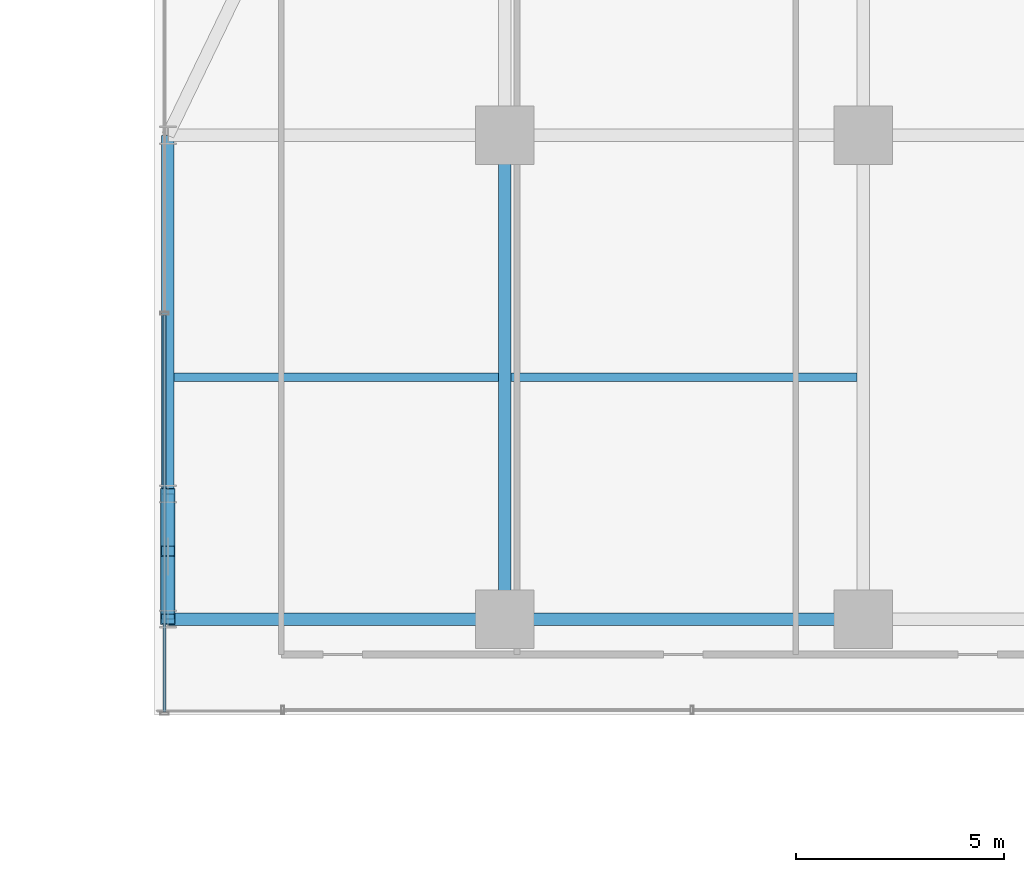
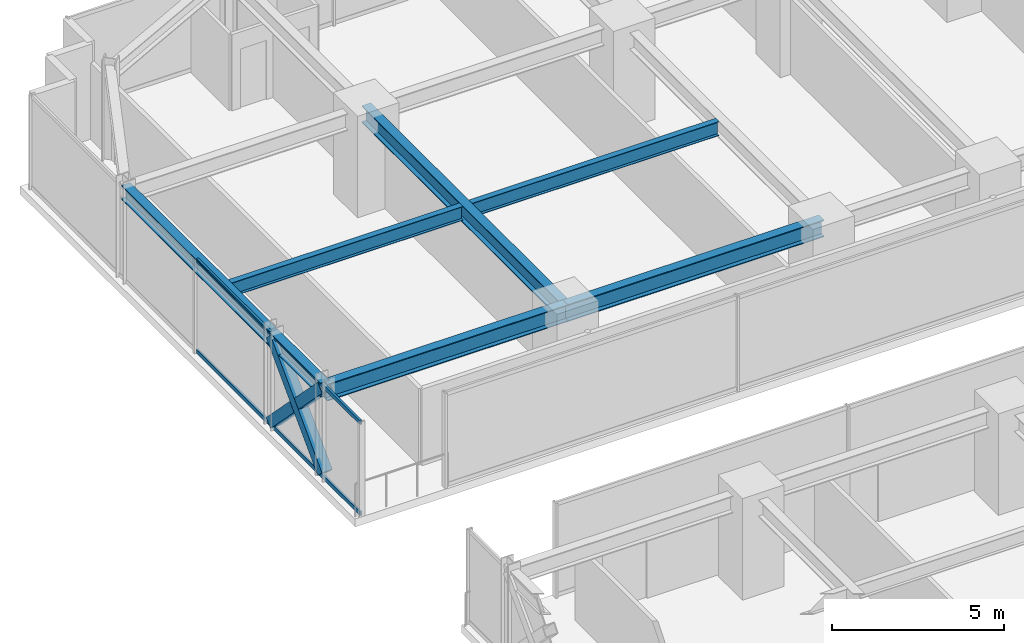
# One storey, part 20 of 37: 7 beams, 5 members, 1 element without a shape of its own.
"""IFC4 building model written with IfcOpenShell, lengths in metres."""

from ifc_helpers import new_model, si_unit, direction, frame, origin, origin_2d, place, context, subcontext, project, spatial, hollow_rectangle, i_section, extrude, source, transform, mapped, material, material_profile, profile_set, type_object, element, aggregate, save


model = new_model("IFC4")

# Units and contexts
model_context = context("Model", 3, precision=1e-05, world=origin(), true_north=direction((0.0, 1.0)))
body_context = subcontext(model_context, "Body", "Model", "MODEL_VIEW")
ifc_project = project(units=[si_unit("LENGTHUNIT", "METRE"), si_unit("AREAUNIT", "SQUARE_METRE"), si_unit("VOLUMEUNIT", "CUBIC_METRE"), si_unit("PLANEANGLEUNIT", "RADIAN"), si_unit("MASSUNIT", "GRAM", prefix="KILO")], contexts=[model_context])

# Site, building, storey
site_placement = place(None, origin())
site = spatial("IfcSite", under=ifc_project, at=site_placement, CompositionType="ELEMENT")
building_placement = place(site_placement, origin())
building = spatial("IfcBuilding", under=site, at=building_placement, Name="Nahalor Promenade Grand Hotel", CompositionType="ELEMENT")
storey_placement = place(building_placement, frame((0.0, 0.0, 65.25)))
storey = spatial("IfcBuildingStorey", under=building, at=storey_placement, Name="L15", CompositionType="ELEMENT", Elevation=65.25)

# Beams
ifc_material_1 = material(Name="Steel S355JR", Category="steel")
ifc_material_profile_1 = material_profile(ifc_material_1, i_section(OverallWidth=0.3, OverallDepth=0.6, WebThickness=0.0155, FlangeThickness=0.03, at=origin_2d()), Name="HEB 600")
ifc_profile_set_1 = profile_set([ifc_material_profile_1], Name="Steel S355JR")
beam_type_1 = type_object("IfcBeamType", Name="Beam-Girder-HEB600", PredefinedType="BEAM", material=ifc_profile_set_1)
shared_shape_1 = source(origin(), body_context, "Body", "SweptSolid", [
    extrude(i_section(OverallWidth=0.3, OverallDepth=0.6, WebThickness=0.0155, FlangeThickness=0.03, at=origin_2d()), origin(), (0.0, 0.0, 1.0), 8.60009765625),
])
beam_1_placement = place(storey_placement, frame((-17.0, 5.39990234375, 3.070068359375), z_axis=(1.0, 0.0, 0.0), x_axis=(0.0, 1.0, 0.0)))
element("IfcBeam", 1, at=beam_1_placement, inside=storey, type_object=beam_type_1, Name="BM-L15-GX-2-1", PredefinedType="BEAM", context=body_context, shape_type="MappedRepresentation", body=[
    mapped(shared_shape_1, transform((0.0, 0.0, 0.0), scale=1.0)),
])
shared_shape_2 = source(origin(), body_context, "Body", "SweptSolid", [
    extrude(i_section(OverallWidth=0.3, OverallDepth=0.6, WebThickness=0.0155, FlangeThickness=0.03, at=origin_2d()), origin(), (0.0, 0.0, 1.0), 11.60009765625),
])
beam_2_placement = place(storey_placement, frame((-17.0, 5.39990234375, 3.070068359375), z_axis=(0.0, 1.0, 0.0), x_axis=(-1.0, 0.0, 0.0)))
element("IfcBeam", 2, at=beam_2_placement, inside=storey, type_object=beam_type_1, Name="BM-L15-GY-0-3", PredefinedType="BEAM", context=body_context, shape_type="MappedRepresentation", body=[
    mapped(shared_shape_2, transform((0.0, 0.0, 0.0), scale=1.0)),
])
ifc_material_profile_2 = material_profile(ifc_material_1, i_section(OverallWidth=0.3, OverallDepth=0.5, WebThickness=0.0145, FlangeThickness=0.028, at=origin_2d()), Name="HEB 500")
ifc_profile_set_2 = profile_set([ifc_material_profile_2], Name="Steel S355JR")
beam_type_2 = type_object("IfcBeamType", Name="Beam-Spandrel-HEB500", PredefinedType="SPANDREL", material=ifc_profile_set_2)
shared_shape_3 = source(origin(), body_context, "Body", "SweptSolid", [
    extrude(i_section(OverallWidth=0.3, OverallDepth=0.5, WebThickness=0.0145, FlangeThickness=0.028, at=origin_2d()), origin(), (0.0, 0.0, 1.0), 8.60009765625),
])
beam_3_placement = place(storey_placement, frame((-25.080078125, 8.39990234375, 3.1201171875), z_axis=(0.0, 1.0, 0.0), x_axis=(-1.0, 0.0, 0.0)))
element("IfcBeam", 3, at=beam_3_placement, inside=storey, type_object=beam_type_2, Name="BM-L15-SP-W-4", PredefinedType="SPANDREL", context=body_context, shape_type="MappedRepresentation", body=[
    mapped(shared_shape_3, transform((0.0, 0.0, 0.0), scale=1.0)),
])
shared_shape_4 = source(origin(), body_context, "Body", "SweptSolid", [
    extrude(i_section(OverallWidth=0.3, OverallDepth=0.5, WebThickness=0.0145, FlangeThickness=0.028, at=origin_2d()), origin(), (0.0, 0.0, 1.0), 3.0),
])
beam_4_placement = place(storey_placement, frame((-25.080078125, 5.39990234375, 3.1201171875), z_axis=(0.0, 1.0, 0.0), x_axis=(-1.0, 0.0, 0.0)))
element("IfcBeam", 4, at=beam_4_placement, inside=storey, type_object=beam_type_2, Name="BM-L15-SP-W-3", PredefinedType="SPANDREL", context=body_context, shape_type="MappedRepresentation", body=[
    mapped(shared_shape_4, transform((0.0, 0.0, 0.0), scale=1.0)),
])
ifc_material_profile_3 = material_profile(ifc_material_1, i_section(OverallWidth=0.2, OverallDepth=0.5, WebThickness=0.0102, FlangeThickness=0.016, at=origin_2d()), Name="IPE 500")
ifc_profile_set_3 = profile_set([ifc_material_profile_3], Name="Steel S355JR")
beam_type_3 = type_object("IfcBeamType", Name="Beam-Joist-IPE500", PredefinedType="JOIST", material=ifc_profile_set_3)
shared_shape_5 = source(origin(), body_context, "Body", "SweptSolid", [
    extrude(i_section(OverallWidth=0.2, OverallDepth=0.5, WebThickness=0.0102, FlangeThickness=0.016, at=origin_2d()), origin(), (0.0, 0.0, 1.0), 8.300048828125),
])
beam_5_placement = place(storey_placement, frame((-16.85009765625, 11.199951171875, 3.1201171875), z_axis=(1.0, 0.0, 0.0), x_axis=(0.0, 1.0, 0.0)))
element("IfcBeam", 5, at=beam_5_placement, inside=storey, type_object=beam_type_3, Name="BM-L15-JSW-1-1", PredefinedType="JOIST", context=body_context, shape_type="MappedRepresentation", body=[
    mapped(shared_shape_5, transform((0.0, 0.0, 0.0), scale=1.0)),
])
shared_shape_6 = source(origin(), body_context, "Body", "SweptSolid", [
    extrude(i_section(OverallWidth=0.3, OverallDepth=0.6, WebThickness=0.0155, FlangeThickness=0.03, at=origin_2d()), origin(), (0.0, 0.0, 1.0), 8.080078125),
])
beam_6_placement = place(storey_placement, frame((-25.080078125, 5.39990234375, 3.070068359375), z_axis=(1.0, 0.0, 0.0), x_axis=(0.0, 1.0, 0.0)))
element("IfcBeam", 6, at=beam_6_placement, inside=storey, type_object=beam_type_1, Name="BM-L15-GX-2-0", PredefinedType="BEAM", context=body_context, shape_type="MappedRepresentation", body=[
    mapped(shared_shape_6, transform((0.0, 0.0, 0.0), scale=1.0)),
])
shared_shape_7 = source(origin(), body_context, "Body", "SweptSolid", [
    extrude(i_section(OverallWidth=0.2, OverallDepth=0.5, WebThickness=0.0102, FlangeThickness=0.016, at=origin_2d()), origin(), (0.0, 0.0, 1.0), 7.780029296875),
])
beam_7_placement = place(storey_placement, frame((-24.929931640625, 11.199951171875, 3.1201171875), z_axis=(1.0, 0.0, 0.0), x_axis=(0.0, 1.0, 0.0)))
element("IfcBeam", 7, at=beam_7_placement, inside=storey, type_object=beam_type_3, Name="BM-L15-JSW-1-0", PredefinedType="JOIST", context=body_context, shape_type="MappedRepresentation", body=[
    mapped(shared_shape_7, transform((0.0, 0.0, 0.0), scale=1.0)),
])

# Members
ifc_material_profile_4 = material_profile(ifc_material_1, hollow_rectangle(XDim=0.35, YDim=0.35, WallThickness=0.02, at=origin_2d()), Name="SHS 350x350x20")
ifc_profile_set_4 = profile_set([ifc_material_profile_4], Name="Steel S355JR")
member_type_1 = type_object("IfcMemberType", Name="Mem-VoidBrace-SHS350", PredefinedType="BRACE", material=ifc_profile_set_4)
shared_shape_8 = source(origin(), body_context, "Body", "SweptSolid", [
    extrude(hollow_rectangle(XDim=0.35, YDim=0.35, WallThickness=0.02, at=origin_2d()), origin(), (0.0, 0.0, 1.0), 4.29248046875),
])
member_1_placement = place(storey_placement, frame((-25.080078125, 5.39990234375, 0.14990234375), z_axis=(0.0, 0.698897904453, 0.715221447631), x_axis=(-1.0, 0.0, 0.0)))
element("IfcMember", 8, at=member_1_placement, inside=storey, type_object=member_type_1, Name="EXO-L15-VX1-W1", PredefinedType="BRACE", context=body_context, shape_type="MappedRepresentation", body=[
    mapped(shared_shape_8, transform((0.0, 0.0, 0.0), scale=1.0)),
])
shared_shape_9 = source(origin(), body_context, "Body", "SweptSolid", [
    extrude(hollow_rectangle(XDim=0.35, YDim=0.35, WallThickness=0.02, at=origin_2d()), origin(), (0.0, 0.0, 1.0), 1.959228515625),
])
for number, where, z_axis, x_axis, name in (
    (9, (-25.080078125, 8.39990234375, 0.14990234375), (0.0, -0.698834435327, 0.715283462692), (1.0, 0.0, 0.0), "EXO-L15-VX2-W1A"),
    (10, (-25.080078125, 6.769287109375, 1.81884765625), (0.0, -0.698960471031, 0.715160303663), (1.0, 0.0, 0.0), "EXO-L15-VX2-W1B"),
):
    element("IfcMember", number, at=place(storey_placement, frame(where, z_axis=z_axis, x_axis=x_axis)), inside=storey, type_object=member_type_1, Name=name, PredefinedType="BRACE", context=body_context, shape_type="MappedRepresentation", body=[
        mapped(shared_shape_9, transform((0.0, 0.0, 0.0), scale=1.0)),
    ])

# Curtain wall, members
ifc_material_2 = material(Name="Anodised Bronze Aluminium EN AW-6063 T6", Category="aluminium")
curtain_wall_type = type_object("IfcCurtainWallType", Name="CW3 Elliptical-Void Collar Unitised Curtain Wall", PredefinedType="USERDEFINED", material=ifc_material_2)
curtain_wall_placement = place(storey_placement, origin())
curtain_wall = element("IfcCurtainWall", 11, at=curtain_wall_placement, inside=storey, type_object=curtain_wall_type, Name="L15 Curtain Wall CW-L15-W-4", ObjectType="UNITISED_CURTAIN_WALL", PredefinedType="USERDEFINED")
ifc_material_profile_5 = material_profile(ifc_material_2, hollow_rectangle(XDim=0.07, YDim=0.14, WallThickness=0.004, at=origin_2d()), Name="CWT 70x140x4")
ifc_profile_set_5 = profile_set([ifc_material_profile_5], Name="Anodised Bronze Aluminium EN AW-6063 T6")
member_type_2 = type_object("IfcMemberType", Name="CWT3 Void Collar Transom 70x140", PredefinedType="USERDEFINED", material=ifc_profile_set_5)
shared_shape_10 = source(origin(), body_context, "Body", "SweptSolid", [
    extrude(hollow_rectangle(XDim=0.07, YDim=0.14, WallThickness=0.004, at=origin_2d()), origin(), (0.0, 0.0, 1.0), 9.525146484375),
])
member_2_placement = place(storey_placement, frame((-25.159912109375, 3.169921875, 0.070068359375), z_axis=(0.0, 1.0, 0.0), x_axis=(-1.0, 0.0, 0.0)))
member_2 = element("IfcMember", 12, at=member_2_placement, type_object=member_type_2, Name="CW-L15-W-4 Transom 0-0", ObjectType="TRANSOM", PredefinedType="USERDEFINED", context=body_context, shape_type="MappedRepresentation", body=[
    mapped(shared_shape_10, transform((0.0, 0.0, 0.0), scale=1.0)),
])
member_3_placement = place(storey_placement, frame((-25.159912109375, 3.169921875, 3.300048828125), z_axis=(0.0, 1.0, 0.0), x_axis=(-1.0, 0.0, 0.0)))
member_3 = element("IfcMember", 13, at=member_3_placement, type_object=member_type_2, Name="CW-L15-W-4 Transom 0-1", ObjectType="TRANSOM", PredefinedType="USERDEFINED", context=body_context, shape_type="MappedRepresentation", body=[
    mapped(shared_shape_10, transform((0.0, 0.0, 0.0), scale=1.0)),
])
aggregate(curtain_wall, [member_2, member_3])

save(model, "model.ifc")
